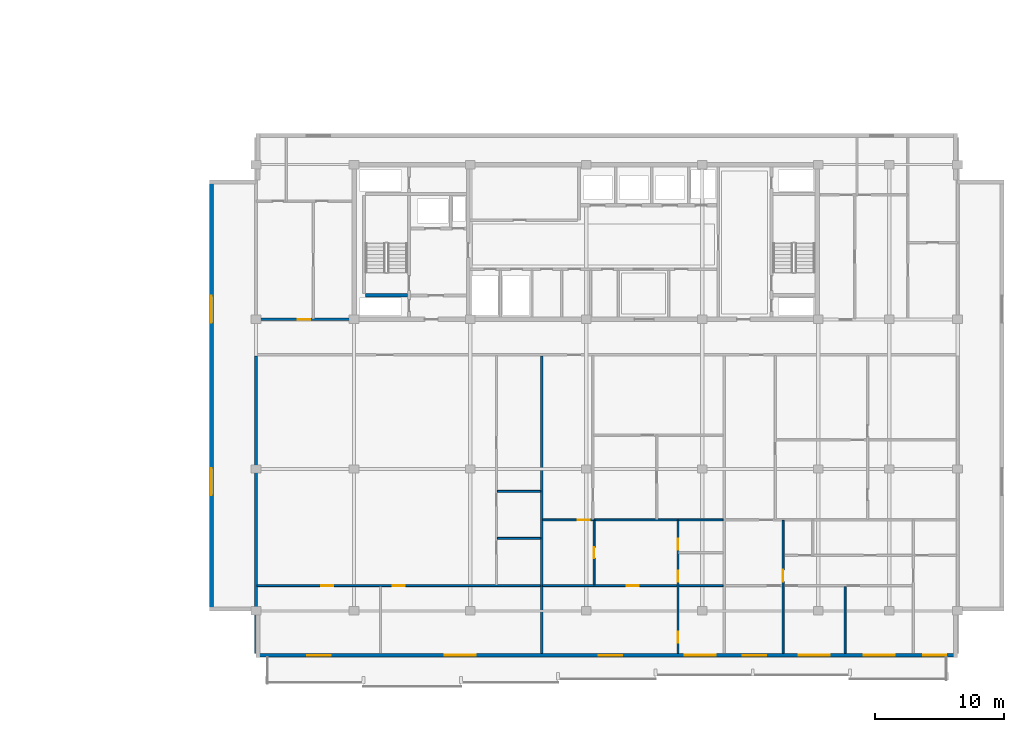
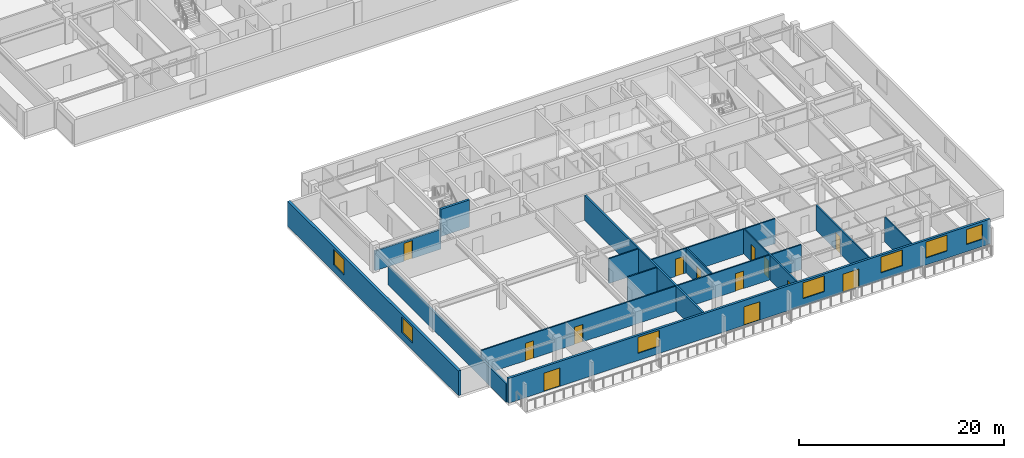
# One storey, part 16 of 32: 15 walls, 13 doors, 7 windows, 20 openings.
"""IFC4 building model written with IfcOpenShell, lengths in metres."""

from ifc_helpers import new_model, si_unit, direction, frame, frame_2d, origin, place, context, subcontext, project, spatial, rectangle, extrude, material, layer, layer_set, type_object, element, fill, save


model = new_model("IFC4")

# Units and contexts
model_context = context("Model", 3, precision=1e-05, world=origin(), true_north=direction((0.0, 1.0)))
body_context = subcontext(model_context, "Body", "Model", "MODEL_VIEW")
ifc_project = project(units=[si_unit("LENGTHUNIT", "METRE"), si_unit("AREAUNIT", "SQUARE_METRE"), si_unit("VOLUMEUNIT", "CUBIC_METRE"), si_unit("PLANEANGLEUNIT", "RADIAN"), si_unit("MASSUNIT", "GRAM", prefix="KILO")], contexts=[model_context])

# Site, building, storey
site_placement = place(None, origin())
site = spatial("IfcSite", under=ifc_project, at=site_placement, CompositionType="ELEMENT")
building_placement = place(site_placement, origin())
building = spatial("IfcBuilding", under=site, at=building_placement, Name="Korimba Cascade Residences", CompositionType="ELEMENT")
storey_placement = place(building_placement, frame((0.0, 0.0, 178.35009765625)))
storey = spatial("IfcBuildingStorey", under=building, at=storey_placement, Name="L51", CompositionType="ELEMENT", Elevation=178.35009765625)

# Wall, openings, doors, windows
ifc_material_1 = material(Name="Precast concrete C40/50", Category="concrete")
ifc_layer_1 = layer(ifc_material_1, 0.25)
ifc_layer_set_1 = layer_set([ifc_layer_1], Name="Precast concrete C40/50")
wall_type_1 = type_object("IfcWallType", Name="EW-LOG-250", PredefinedType="STANDARD", material=ifc_layer_set_1)
wall_1_placement = place(storey_placement, frame((74.5, -7.64990234375, 0.0), z_axis=(0.0, 0.0, 1.0), x_axis=(1.0, 0.0, 0.0)))
wall_1 = element("IfcWall", 1, at=wall_1_placement, inside=storey, type_object=wall_type_1, Name="L51 T2 Perimeter Stone Wall E00", PredefinedType="STANDARD", context=body_context, shape_type="SweptSolid", body=[
    extrude(rectangle(XDim=54.39990234375, YDim=0.25, at=frame_2d((27.199951171875, 0.0))), origin(), (0.0, 0.0, 1.0), 2.969970703125),
])
opening_1_placement = place(wall_1_placement, frame((3.9873046875, 0.0, 0.0)))
opening_1 = element("IfcOpeningElement", 2, at=opening_1_placement, cuts=wall_1, Name="Opening D-LG1", PredefinedType="OPENING", context=body_context, shape_type="SweptSolid", body=[
    extrude(rectangle(XDim=1.800048828125, YDim=2.199951171875, at=frame_2d((0.89990234375, 1.10009765625))), frame((0.0, 0.135009765625, 0.0), z_axis=(0.0, -1.0, 0.0), x_axis=(1.0, 0.0, 0.0)), (0.0, 0.0, 1.0), 0.27001953125),
])
opening_2_placement = place(wall_1_placement, frame((14.641845703125, 0.0, 0.85009765625)))
opening_2 = element("IfcOpeningElement", 3, at=opening_2_placement, cuts=wall_1, Name="Opening W-01", PredefinedType="OPENING", context=body_context, shape_type="SweptSolid", body=[
    extrude(rectangle(XDim=2.39990234375, YDim=1.89990234375, at=frame_2d((1.199951171875, 0.949951171875))), frame((0.0, 0.135009765625, 0.0), z_axis=(0.0, -1.0, 0.0), x_axis=(1.0, 0.0, 0.0)), (0.0, 0.0, 1.0), 0.27001953125),
])
opening_3_placement = place(wall_1_placement, frame((26.594482421875, 0.0, 0.0)))
opening_3 = element("IfcOpeningElement", 4, at=opening_3_placement, cuts=wall_1, Name="Opening D-LG1", PredefinedType="OPENING", context=body_context, shape_type="SweptSolid", body=[
    extrude(rectangle(XDim=1.800048828125, YDim=2.199951171875, at=frame_2d((0.89990234375, 1.10009765625))), frame((0.0, 0.135009765625, 0.0), z_axis=(0.0, -1.0, 0.0), x_axis=(1.0, 0.0, 0.0)), (0.0, 0.0, 1.0), 0.27001953125),
])
opening_4_placement = place(wall_1_placement, frame((33.248291015625, 0.0, 0.85009765625)))
opening_4 = element("IfcOpeningElement", 5, at=opening_4_placement, cuts=wall_1, Name="Opening W-01", PredefinedType="OPENING", context=body_context, shape_type="SweptSolid", body=[
    extrude(rectangle(XDim=2.39990234375, YDim=1.89990234375, at=frame_2d((1.199951171875, 0.949951171875))), frame((0.0, 0.135009765625, 0.0), z_axis=(0.0, -1.0, 0.0), x_axis=(1.0, 0.0, 0.0)), (0.0, 0.0, 1.0), 0.27001953125),
])
opening_5_placement = place(wall_1_placement, frame((42.077392578125, 0.0, 0.85009765625)))
opening_5 = element("IfcOpeningElement", 6, at=opening_5_placement, cuts=wall_1, Name="Opening W-01", PredefinedType="OPENING", context=body_context, shape_type="SweptSolid", body=[
    extrude(rectangle(XDim=2.39990234375, YDim=1.89990234375, at=frame_2d((1.199951171875, 0.949951171875))), frame((0.0, 0.135009765625, 0.0), z_axis=(0.0, -1.0, 0.0), x_axis=(1.0, 0.0, 0.0)), (0.0, 0.0, 1.0), 0.27001953125),
])
opening_6_placement = place(wall_1_placement, frame((47.129150390625, 0.0, 0.85009765625)))
opening_6 = element("IfcOpeningElement", 7, at=opening_6_placement, cuts=wall_1, Name="Opening W-01", PredefinedType="OPENING", context=body_context, shape_type="SweptSolid", body=[
    extrude(rectangle(XDim=2.39990234375, YDim=1.89990234375, at=frame_2d((1.199951171875, 0.949951171875))), frame((0.0, 0.135009765625, 0.0), z_axis=(0.0, -1.0, 0.0), x_axis=(1.0, 0.0, 0.0)), (0.0, 0.0, 1.0), 0.27001953125),
])
opening_7_placement = place(wall_1_placement, frame((37.746337890625, 0.0, 0.0)))
opening_7 = element("IfcOpeningElement", 8, at=opening_7_placement, cuts=wall_1, Name="Opening D-LG1", PredefinedType="OPENING", context=body_context, shape_type="SweptSolid", body=[
    extrude(rectangle(XDim=1.800048828125, YDim=2.199951171875, at=frame_2d((0.89990234375, 1.10009765625))), frame((0.0, 0.135009765625, 0.0), z_axis=(0.0, -1.0, 0.0), x_axis=(1.0, 0.0, 0.0)), (0.0, 0.0, 1.0), 0.27001953125),
])
opening_8_placement = place(wall_1_placement, frame((51.72998046875, 0.0, 0.85009765625)))
opening_8 = element("IfcOpeningElement", 9, at=opening_8_placement, cuts=wall_1, Name="Opening W-02", PredefinedType="OPENING", context=body_context, shape_type="SweptSolid", body=[
    extrude(rectangle(XDim=1.800048828125, YDim=1.800048828125, at=frame_2d((0.89990234375, 0.89990234375))), frame((0.0, 0.135009765625, 0.0), z_axis=(0.0, -1.0, 0.0), x_axis=(1.0, 0.0, 0.0)), (0.0, 0.0, 1.0), 0.27001953125),
])
ifc_material_2 = material(Name="Glazed Aluminium Loggia Sliding Door", Category="aluminium")
door_type_1 = type_object("IfcDoorType", Name="DR-EXT-LOG", OperationType="NOTDEFINED", PredefinedType="DOOR", material=ifc_material_2)
door_1_placement = place(opening_1_placement, origin())
door_1 = element("IfcDoor", 10, at=door_1_placement, inside=storey, type_object=door_type_1, Name="L51 T2 Loggia Sliding Door 3", OperationType="SLIDING_TO_RIGHT", OverallHeight=2.199951171875, OverallWidth=1.800048828125, PredefinedType="DOOR", context=body_context, shape_type="SweptSolid", body=[
    extrude(rectangle(XDim=1.800048828125, YDim=2.199951171875, at=frame_2d((0.89990234375, 1.10009765625))), frame((0.0, 0.02490234375, 0.0), z_axis=(0.0, -1.0, 0.0), x_axis=(1.0, 0.0, 0.0)), (0.0, 0.0, 1.0), 0.050048828125),
])
fill(opening_1, door_1)
door_2_placement = place(opening_3_placement, origin())
door_2 = element("IfcDoor", 11, at=door_2_placement, inside=storey, type_object=door_type_1, Name="L51 T2 Loggia Sliding Door 5", OperationType="SLIDING_TO_RIGHT", OverallHeight=2.199951171875, OverallWidth=1.800048828125, PredefinedType="DOOR", context=body_context, shape_type="SweptSolid", body=[
    extrude(rectangle(XDim=1.800048828125, YDim=2.199951171875, at=frame_2d((0.89990234375, 1.10009765625))), frame((0.0, 0.02490234375, 0.0), z_axis=(0.0, -1.0, 0.0), x_axis=(1.0, 0.0, 0.0)), (0.0, 0.0, 1.0), 0.050048828125),
])
fill(opening_3, door_2)
door_3_placement = place(opening_7_placement, origin())
door_3 = element("IfcDoor", 12, at=door_3_placement, inside=storey, type_object=door_type_1, Name="L51 T2 Loggia Sliding Door 9", OperationType="SLIDING_TO_RIGHT", OverallHeight=2.199951171875, OverallWidth=1.800048828125, PredefinedType="DOOR", context=body_context, shape_type="SweptSolid", body=[
    extrude(rectangle(XDim=1.800048828125, YDim=2.199951171875, at=frame_2d((0.89990234375, 1.10009765625))), frame((0.0, 0.02490234375, 0.0), z_axis=(0.0, -1.0, 0.0), x_axis=(1.0, 0.0, 0.0)), (0.0, 0.0, 1.0), 0.050048828125),
])
fill(opening_7, door_3)
ifc_material_3 = material(Name="Double-Glazed Aluminium Window", Category="aluminium")
window_type_1 = type_object("IfcWindowType", Name="WIN-BED-1800", PartitioningType="SINGLE_PANEL", PredefinedType="WINDOW", material=ifc_material_3)
window_1_placement = place(opening_8_placement, origin())
window_1 = element("IfcWindow", 13, at=window_1_placement, inside=storey, type_object=window_type_1, Name="L51 T2 South Facade Window 10", OverallHeight=1.800048828125, OverallWidth=1.800048828125, PartitioningType="SINGLE_PANEL", PredefinedType="WINDOW", context=body_context, shape_type="SweptSolid", body=[
    extrude(rectangle(XDim=1.800048828125, YDim=1.800048828125, at=frame_2d((0.89990234375, 0.89990234375))), frame((0.0, 0.030029296875, 0.0), z_axis=(0.0, -1.0, 0.0), x_axis=(1.0, 0.0, 0.0)), (0.0, 0.0, 1.0), 0.06005859375),
])
fill(opening_8, window_1)
window_type_2 = type_object("IfcWindowType", Name="WIN-RES-2400", PartitioningType="DOUBLE_PANEL_VERTICAL", PredefinedType="WINDOW", material=ifc_material_3)
window_2_placement = place(opening_2_placement, origin())
window_2 = element("IfcWindow", 14, at=window_2_placement, inside=storey, type_object=window_type_2, Name="L51 T2 South Facade Window 4", OverallHeight=1.89990234375, OverallWidth=2.39990234375, PartitioningType="DOUBLE_PANEL_VERTICAL", PredefinedType="WINDOW", context=body_context, shape_type="SweptSolid", body=[
    extrude(rectangle(XDim=2.39990234375, YDim=1.89990234375, at=frame_2d((1.199951171875, 0.949951171875))), frame((0.0, 0.030029296875, 0.0), z_axis=(0.0, -1.0, 0.0), x_axis=(1.0, 0.0, 0.0)), (0.0, 0.0, 1.0), 0.06005859375),
])
fill(opening_2, window_2)
window_3_placement = place(opening_4_placement, origin())
window_3 = element("IfcWindow", 15, at=window_3_placement, inside=storey, type_object=window_type_2, Name="L51 T2 South Facade Window 6", OverallHeight=1.89990234375, OverallWidth=2.39990234375, PartitioningType="DOUBLE_PANEL_VERTICAL", PredefinedType="WINDOW", context=body_context, shape_type="SweptSolid", body=[
    extrude(rectangle(XDim=2.39990234375, YDim=1.89990234375, at=frame_2d((1.199951171875, 0.949951171875))), frame((0.0, 0.030029296875, 0.0), z_axis=(0.0, -1.0, 0.0), x_axis=(1.0, 0.0, 0.0)), (0.0, 0.0, 1.0), 0.06005859375),
])
fill(opening_4, window_3)
window_4_placement = place(opening_5_placement, origin())
window_4 = element("IfcWindow", 16, at=window_4_placement, inside=storey, type_object=window_type_2, Name="L51 T2 South Facade Window 7", OverallHeight=1.89990234375, OverallWidth=2.39990234375, PartitioningType="DOUBLE_PANEL_VERTICAL", PredefinedType="WINDOW", context=body_context, shape_type="SweptSolid", body=[
    extrude(rectangle(XDim=2.39990234375, YDim=1.89990234375, at=frame_2d((1.199951171875, 0.949951171875))), frame((0.0, 0.030029296875, 0.0), z_axis=(0.0, -1.0, 0.0), x_axis=(1.0, 0.0, 0.0)), (0.0, 0.0, 1.0), 0.06005859375),
])
fill(opening_5, window_4)
window_5_placement = place(opening_6_placement, origin())
window_5 = element("IfcWindow", 17, at=window_5_placement, inside=storey, type_object=window_type_2, Name="L51 T2 South Facade Window 8", OverallHeight=1.89990234375, OverallWidth=2.39990234375, PartitioningType="DOUBLE_PANEL_VERTICAL", PredefinedType="WINDOW", context=body_context, shape_type="SweptSolid", body=[
    extrude(rectangle(XDim=2.39990234375, YDim=1.89990234375, at=frame_2d((1.199951171875, 0.949951171875))), frame((0.0, 0.030029296875, 0.0), z_axis=(0.0, -1.0, 0.0), x_axis=(1.0, 0.0, 0.0)), (0.0, 0.0, 1.0), 0.06005859375),
])
fill(opening_6, window_5)

# Wall, openings, windows
ifc_layer_2 = layer(ifc_material_1, 0.300048828125)
ifc_layer_set_2 = layer_set([ifc_layer_2], Name="Precast concrete C40/50")
wall_type_2 = type_object("IfcWallType", Name="EW-STONE-300", PredefinedType="STANDARD", material=ifc_layer_set_2)
wall_2_placement = place(storey_placement, frame((71.050048828125, 29.199951171875, 0.0), z_axis=(0.0, 0.0, 1.0), x_axis=(0.0, -1.0, 0.0)))
wall_2 = element("IfcWall", 18, at=wall_2_placement, inside=storey, type_object=wall_type_2, Name="L51 T2 Perimeter Stone Wall E09", PredefinedType="STANDARD", context=body_context, shape_type="SweptSolid", body=[
    extrude(rectangle(XDim=33.39990234375, YDim=0.300048828125, at=frame_2d((16.699951171875, 0.0))), origin(), (0.0, 0.0, 1.0), 2.969970703125),
])
opening_9_placement = place(wall_2_placement, frame((8.969970703125, 0.0, 0.85009765625)))
opening_9 = element("IfcOpeningElement", 19, at=opening_9_placement, cuts=wall_2, Name="Opening W-03", PredefinedType="OPENING", context=body_context, shape_type="SweptSolid", body=[
    extrude(rectangle(XDim=2.10009765625, YDim=1.85009765625, at=frame_2d((1.050048828125, 0.925048828125))), frame((0.0, 0.16015625, 0.0), z_axis=(0.0, -1.0, 0.0), x_axis=(1.0, 0.0, 0.0)), (0.0, 0.0, 1.0), 0.320068359375),
])
opening_10_placement = place(wall_2_placement, frame((22.330078125, 0.0, 0.85009765625)))
opening_10 = element("IfcOpeningElement", 20, at=opening_10_placement, cuts=wall_2, Name="Opening W-03", PredefinedType="OPENING", context=body_context, shape_type="SweptSolid", body=[
    extrude(rectangle(XDim=2.10009765625, YDim=1.85009765625, at=frame_2d((1.050048828125, 0.925048828125))), frame((0.0, 0.16015625, 0.0), z_axis=(0.0, -1.0, 0.0), x_axis=(1.0, 0.0, 0.0)), (0.0, 0.0, 1.0), 0.320068359375),
])
window_type_3 = type_object("IfcWindowType", Name="WIN-CRN-2100", PartitioningType="DOUBLE_PANEL_HORIZONTAL", PredefinedType="WINDOW", material=ifc_material_3)
window_6_placement = place(opening_9_placement, origin())
window_6 = element("IfcWindow", 21, at=window_6_placement, inside=storey, type_object=window_type_3, Name="L51 T2 End View Window 9.1", OverallHeight=1.85009765625, OverallWidth=2.10009765625, PartitioningType="DOUBLE_PANEL_HORIZONTAL", PredefinedType="WINDOW", context=body_context, shape_type="SweptSolid", body=[
    extrude(rectangle(XDim=2.10009765625, YDim=1.85009765625, at=frame_2d((1.050048828125, 0.925048828125))), frame((0.0, 0.030029296875, 0.0), z_axis=(0.0, -1.0, 0.0), x_axis=(1.0, 0.0, 0.0)), (0.0, 0.0, 1.0), 0.06005859375),
])
fill(opening_9, window_6)
window_7_placement = place(opening_10_placement, origin())
window_7 = element("IfcWindow", 22, at=window_7_placement, inside=storey, type_object=window_type_3, Name="L51 T2 End View Window 9.2", OverallHeight=1.85009765625, OverallWidth=2.10009765625, PartitioningType="DOUBLE_PANEL_HORIZONTAL", PredefinedType="WINDOW", context=body_context, shape_type="SweptSolid", body=[
    extrude(rectangle(XDim=2.10009765625, YDim=1.85009765625, at=frame_2d((1.050048828125, 0.925048828125))), frame((0.0, 0.030029296875, 0.0), z_axis=(0.0, -1.0, 0.0), x_axis=(1.0, 0.0, 0.0)), (0.0, 0.0, 1.0), 0.06005859375),
])
fill(opening_10, window_7)

# Wall, opening, door
ifc_layer_3 = layer(ifc_material_1, 0.199951171875)
ifc_layer_set_3 = layer_set([ifc_layer_3], Name="Precast concrete C40/50")
wall_type_3 = type_object("IfcWallType", Name="WAL-IT-200", PredefinedType="PARTITIONING", material=ifc_layer_set_3)
wall_3_placement = place(storey_placement, frame((74.5, 18.39990234375, 0.0), z_axis=(0.0, 0.0, 1.0), x_axis=(1.0, 0.0, 0.0)))
wall_3 = element("IfcWall", 23, at=wall_3_placement, inside=storey, type_object=wall_type_3, Name="L51 Partition Wall WAL-L51-T2-FW-S", PredefinedType="PARTITIONING", context=body_context, shape_type="SweptSolid", body=[
    extrude(rectangle(XDim=7.449951171875, YDim=0.199951171875, at=frame_2d((3.72509765625, 0.0))), origin(), (0.0, 0.0, 1.0), 2.357666015625),
])
opening_11_placement = place(wall_3_placement, frame((3.25, 0.0, 0.0)))
opening_11 = element("IfcOpeningElement", 24, at=opening_11_placement, cuts=wall_3, Name="Opening D-UN1", PredefinedType="OPENING", context=body_context, shape_type="SweptSolid", body=[
    extrude(rectangle(XDim=0.949951171875, YDim=2.14990234375, at=frame_2d((0.47509765625, 1.074951171875))), frame((0.0, 0.10986328125, 0.0), z_axis=(0.0, -1.0, 0.0), x_axis=(1.0, 0.0, 0.0)), (0.0, 0.0, 1.0), 0.219970703125),
])
ifc_material_4 = material(Name="Fire-Rated Hardwood Apartment Entrance Door", Category="wood")
door_type_2 = type_object("IfcDoorType", Name="DR-FD60-950", OperationType="NOTDEFINED", PredefinedType="DOOR", material=ifc_material_4)
door_4_placement = place(opening_11_placement, origin())
door_4 = element("IfcDoor", 25, at=door_4_placement, inside=storey, type_object=door_type_2, Name="L51-T2-FW Entrance Door", OperationType="SINGLE_SWING_RIGHT", OverallHeight=2.14990234375, OverallWidth=0.949951171875, PredefinedType="DOOR", context=body_context, shape_type="SweptSolid", body=[
    extrude(rectangle(XDim=0.949951171875, YDim=2.14990234375, at=frame_2d((0.47509765625, 1.074951171875))), frame((0.0, 0.02490234375, 0.0), z_axis=(0.0, -1.0, 0.0), x_axis=(1.0, 0.0, 0.0)), (0.0, 0.0, 1.0), 0.050048828125),
])
fill(opening_11, door_4)

# Walls
wall_4_placement = place(storey_placement, frame((74.5, -7.5, 0.0), z_axis=(0.0, 0.0, 1.0), x_axis=(0.0, 1.0, 0.0)))
element("IfcWall", 26, at=wall_4_placement, inside=storey, type_object=wall_type_3, Name="L51 Partition Wall WAL-L51-T2-BNDWL", PredefinedType="PARTITIONING", context=body_context, shape_type="SweptSolid", body=[
    extrude(rectangle(XDim=23.070068359375, YDim=0.199951171875, at=frame_2d((11.53515625, 0.0))), origin(), (0.0, 0.0, 1.0), 2.2001953125),
])
wall_5_placement = place(storey_placement, frame((96.649169921875, -7.5, 0.0), z_axis=(0.0, 0.0, 1.0), x_axis=(0.0, 1.0, 0.0)))
element("IfcWall", 27, at=wall_5_placement, inside=storey, type_object=wall_type_3, Name="L51 Partition Wall WAL-L51-T2-DEM-1", PredefinedType="PARTITIONING", context=body_context, shape_type="SweptSolid", body=[
    extrude(rectangle(XDim=23.070068359375, YDim=0.199951171875, at=frame_2d((11.53515625, 0.0))), origin(), (0.0, 0.0, 1.0), 2.969970703125),
])
ifc_material_5 = material(Name="Insulated Acoustic Stud Partition", Category="gypsum")
ifc_layer_4 = layer(ifc_material_5, 0.14990234375)
ifc_layer_set_4 = layer_set([ifc_layer_4], Name="Insulated Acoustic Stud Partition")
wall_type_4 = type_object("IfcWallType", Name="WAL-PART-150", PredefinedType="PARTITIONING", material=ifc_layer_set_4)
for number, where, z_axis, x_axis, name in (
    (28, (93.208984375, 1.419921875, 0.0), (0.0, 0.0, 1.0), (1.0, 0.0, 0.0), "L51 Partition Wall WAL-L51-T2-U01-WCH"),
    (29, (93.208984375, 5.070068359375, 0.0), (0.0, 0.0, 1.0), (1.0, 0.0, 0.0), "L51 Partition Wall WAL-L51-T2-U01-WCH2"),
):
    element("IfcWall", number, at=place(storey_placement, frame(where, z_axis=z_axis, x_axis=x_axis)), inside=storey, type_object=wall_type_4, Name=name, PredefinedType="PARTITIONING", context=body_context, shape_type="SweptSolid", body=[
        extrude(rectangle(XDim=3.360107421875, YDim=0.14990234375, at=frame_2d((1.68017578125, 0.0))), origin(), (0.0, 0.0, 1.0), 2.969970703125),
    ])

# Wall, openings, doors
wall_6_placement = place(storey_placement, frame((74.580078125, -2.25, 0.0), z_axis=(0.0, 0.0, 1.0), x_axis=(1.0, 0.0, 0.0)))
wall_6 = element("IfcWall", 30, at=wall_6_placement, inside=storey, type_object=wall_type_4, Name="L51 Partition Wall WAL-L51-T2-U01-HZ", PredefinedType="PARTITIONING", context=body_context, shape_type="SweptSolid", body=[
    extrude(rectangle(XDim=21.989013671875, YDim=0.14990234375, at=frame_2d((10.99462890625, 0.0))), origin(), (0.0, 0.0, 1.0), 2.969970703125),
])
opening_12_placement = place(wall_6_placement, frame((4.979736328125, 0.0, 0.0)))
opening_12 = element("IfcOpeningElement", 31, at=opening_12_placement, cuts=wall_6, Name="Opening D-ST1", PredefinedType="OPENING", context=body_context, shape_type="SweptSolid", body=[
    extrude(rectangle(XDim=0.919921875, YDim=2.080078125, at=frame_2d((0.4599609375, 1.0400390625))), frame((0.0, 0.0849609375, 0.0), z_axis=(0.0, -1.0, 0.0), x_axis=(1.0, 0.0, 0.0)), (0.0, 0.0, 1.0), 0.169921875),
])
opening_13_placement = place(wall_6_placement, frame((10.53466796875, 0.0, 0.0)))
opening_13 = element("IfcOpeningElement", 32, at=opening_13_placement, cuts=wall_6, Name="Opening D-ST1", PredefinedType="OPENING", context=body_context, shape_type="SweptSolid", body=[
    extrude(rectangle(XDim=0.919921875, YDim=2.080078125, at=frame_2d((0.4599609375, 1.0400390625))), frame((0.0, 0.0849609375, 0.0), z_axis=(0.0, -1.0, 0.0), x_axis=(1.0, 0.0, 0.0)), (0.0, 0.0, 1.0), 0.169921875),
])
ifc_material_6 = material(Name="Fire-Rated Core Store Door", Category="wood")
door_type_3 = type_object("IfcDoorType", Name="DR-FD60-920", OperationType="NOTDEFINED", PredefinedType="DOOR", material=ifc_material_6)
door_5_placement = place(opening_12_placement, origin())
door_5 = element("IfcDoor", 33, at=door_5_placement, inside=storey, type_object=door_type_3, Name="L51-T2-U01 Sky Lobby Concierge Door", OperationType="SINGLE_SWING_RIGHT", OverallHeight=2.080078125, OverallWidth=0.919921875, PredefinedType="DOOR", context=body_context, shape_type="SweptSolid", body=[
    extrude(rectangle(XDim=0.919921875, YDim=2.080078125, at=frame_2d((0.4599609375, 1.0400390625))), frame((0.0, 0.02490234375, 0.0), z_axis=(0.0, -1.0, 0.0), x_axis=(1.0, 0.0, 0.0)), (0.0, 0.0, 1.0), 0.050048828125),
])
fill(opening_12, door_5)
door_6_placement = place(opening_13_placement, origin())
door_6 = element("IfcDoor", 34, at=door_6_placement, inside=storey, type_object=door_type_3, Name="L51-T2-U01 Horizon Observation Atrium Door", OperationType="SINGLE_SWING_LEFT", OverallHeight=2.080078125, OverallWidth=0.919921875, PredefinedType="DOOR", context=body_context, shape_type="SweptSolid", body=[
    extrude(rectangle(XDim=0.919921875, YDim=2.080078125, at=frame_2d((0.4599609375, 1.0400390625))), frame((0.0, 0.02490234375, 0.0), z_axis=(0.0, -1.0, 0.0), x_axis=(1.0, 0.0, 0.0)), (0.0, 0.0, 1.0), 0.050048828125),
])
fill(opening_13, door_6)

# Wall, opening, door
wall_7_placement = place(storey_placement, frame((100.718994140625, -2.18994140625, 0.0), z_axis=(0.0, 0.0, 1.0), x_axis=(0.0, 1.0, 0.0)))
wall_7 = element("IfcWall", 35, at=wall_7_placement, inside=storey, type_object=wall_type_4, Name="L51 Partition Wall WAL-L51-T2-U02-VDIN", PredefinedType="PARTITIONING", context=body_context, shape_type="SweptSolid", body=[
    extrude(rectangle(XDim=5.0, YDim=0.14990234375, at=frame_2d((2.5, 0.0))), origin(), (0.0, 0.0, 1.0), 2.969970703125),
])
opening_14_placement = place(wall_7_placement, frame((2.06005859375, 0.0, 0.0)))
opening_14 = element("IfcOpeningElement", 36, at=opening_14_placement, cuts=wall_7, Name="Opening D-IN2", PredefinedType="OPENING", context=body_context, shape_type="SweptSolid", body=[
    extrude(rectangle(XDim=0.8798828125, YDim=2.06005859375, at=frame_2d((0.43994140625, 1.030029296875))), frame((0.0, 0.0849609375, 0.0), z_axis=(0.0, -1.0, 0.0), x_axis=(1.0, 0.0, 0.0)), (0.0, 0.0, 1.0), 0.169921875),
])
ifc_material_7 = material(Name="Acoustic Timber Bedroom Door", Category="wood")
door_type_4 = type_object("IfcDoorType", Name="DR-INT-880", OperationType="NOTDEFINED", PredefinedType="DOOR", material=ifc_material_7)
door_7_placement = place(opening_14_placement, origin())
door_7 = element("IfcDoor", 37, at=door_7_placement, inside=storey, type_object=door_type_4, Name="L51-T2-U02 Dining Room Door", OperationType="SINGLE_SWING_LEFT", OverallHeight=2.06005859375, OverallWidth=0.8798828125, PredefinedType="DOOR", context=body_context, shape_type="SweptSolid", body=[
    extrude(rectangle(XDim=0.8798828125, YDim=2.06005859375, at=frame_2d((0.43994140625, 1.030029296875))), frame((0.0, 0.02490234375, 0.0), z_axis=(0.0, -1.0, 0.0), x_axis=(1.0, 0.0, 0.0)), (0.0, 0.0, 1.0), 0.050048828125),
])
fill(opening_14, door_7)

# Wall, openings, doors
wall_8_placement = place(storey_placement, frame((107.219970703125, -7.5, 0.0), z_axis=(0.0, 0.0, 1.0), x_axis=(0.0, 1.0, 0.0)))
wall_8 = element("IfcWall", 38, at=wall_8_placement, inside=storey, type_object=wall_type_4, Name="L51 Partition Wall WAL-L51-T2-U02-V1", PredefinedType="PARTITIONING", context=body_context, shape_type="SweptSolid", body=[
    extrude(rectangle(XDim=10.31005859375, YDim=0.14990234375, at=frame_2d((5.155029296875, 0.0))), origin(), (0.0, 0.0, 1.0), 2.969970703125),
])
opening_15_placement = place(wall_8_placement, frame((5.550048828125, 0.0, 0.0)))
opening_15 = element("IfcOpeningElement", 39, at=opening_15_placement, cuts=wall_8, Name="Opening D-BT1", PredefinedType="OPENING", context=body_context, shape_type="SweptSolid", body=[
    extrude(rectangle(XDim=0.840087890625, YDim=2.0400390625, at=frame_2d((0.419921875, 1.02001953125))), frame((0.0, 0.0849609375, 0.0), z_axis=(0.0, -1.0, 0.0), x_axis=(1.0, 0.0, 0.0)), (0.0, 0.0, 1.0), 0.169921875),
])
opening_16_placement = place(wall_8_placement, frame((8.03955078125, 0.0, 0.0)))
opening_16 = element("IfcOpeningElement", 40, at=opening_16_placement, cuts=wall_8, Name="Opening D-BT1", PredefinedType="OPENING", context=body_context, shape_type="SweptSolid", body=[
    extrude(rectangle(XDim=0.840087890625, YDim=2.0400390625, at=frame_2d((0.419921875, 1.02001953125))), frame((0.0, 0.0849609375, 0.0), z_axis=(0.0, -1.0, 0.0), x_axis=(1.0, 0.0, 0.0)), (0.0, 0.0, 1.0), 0.169921875),
])
opening_17_placement = place(wall_8_placement, frame((0.818115234375, 0.0, 0.0)))
opening_17 = element("IfcOpeningElement", 41, at=opening_17_placement, cuts=wall_8, Name="Opening D-IN2", PredefinedType="OPENING", context=body_context, shape_type="SweptSolid", body=[
    extrude(rectangle(XDim=0.8798828125, YDim=2.06005859375, at=frame_2d((0.43994140625, 1.030029296875))), frame((0.0, 0.0849609375, 0.0), z_axis=(0.0, -1.0, 0.0), x_axis=(1.0, 0.0, 0.0)), (0.0, 0.0, 1.0), 0.169921875),
])
ifc_material_8 = material(Name="Moisture-Resistant Bathroom Timber Door", Category="wood")
door_type_5 = type_object("IfcDoorType", Name="DR-INT-850", OperationType="NOTDEFINED", PredefinedType="DOOR", material=ifc_material_8)
door_8_placement = place(opening_15_placement, origin())
door_8 = element("IfcDoor", 42, at=door_8_placement, inside=storey, type_object=door_type_5, Name="L51-T2-U02 Bathroom Door", OperationType="SINGLE_SWING_RIGHT", OverallHeight=2.0400390625, OverallWidth=0.840087890625, PredefinedType="DOOR", context=body_context, shape_type="SweptSolid", body=[
    extrude(rectangle(XDim=0.840087890625, YDim=2.0400390625, at=frame_2d((0.419921875, 1.02001953125))), frame((0.0, 0.02490234375, 0.0), z_axis=(0.0, -1.0, 0.0), x_axis=(1.0, 0.0, 0.0)), (0.0, 0.0, 1.0), 0.050048828125),
])
fill(opening_15, door_8)
door_9_placement = place(opening_16_placement, origin())
door_9 = element("IfcDoor", 43, at=door_9_placement, inside=storey, type_object=door_type_5, Name="L51-T2-U02 Laundry Door", OperationType="SINGLE_SWING_LEFT", OverallHeight=2.0400390625, OverallWidth=0.840087890625, PredefinedType="DOOR", context=body_context, shape_type="SweptSolid", body=[
    extrude(rectangle(XDim=0.840087890625, YDim=2.0400390625, at=frame_2d((0.419921875, 1.02001953125))), frame((0.0, 0.02490234375, 0.0), z_axis=(0.0, -1.0, 0.0), x_axis=(1.0, 0.0, 0.0)), (0.0, 0.0, 1.0), 0.050048828125),
])
fill(opening_16, door_9)
door_10_placement = place(opening_17_placement, origin())
door_10 = element("IfcDoor", 44, at=door_10_placement, inside=storey, type_object=door_type_4, Name="L51-T2-U02 Bedroom 1 Door", OperationType="SINGLE_SWING_RIGHT", OverallHeight=2.06005859375, OverallWidth=0.8798828125, PredefinedType="DOOR", context=body_context, shape_type="SweptSolid", body=[
    extrude(rectangle(XDim=0.8798828125, YDim=2.06005859375, at=frame_2d((0.43994140625, 1.030029296875))), frame((0.0, 0.02490234375, 0.0), z_axis=(0.0, -1.0, 0.0), x_axis=(1.0, 0.0, 0.0)), (0.0, 0.0, 1.0), 0.050048828125),
])
fill(opening_17, door_10)

# Wall, opening, door
wall_9_placement = place(storey_placement, frame((96.72900390625, 2.85009765625, 0.0), z_axis=(0.0, 0.0, 1.0), x_axis=(1.0, 0.0, 0.0)))
wall_9 = element("IfcWall", 45, at=wall_9_placement, inside=storey, type_object=wall_type_4, Name="L51 Partition Wall WAL-L51-T2-U02-MW", PredefinedType="PARTITIONING", context=body_context, shape_type="SweptSolid", body=[
    extrude(rectangle(XDim=13.9873046875, YDim=0.14990234375, at=frame_2d((6.99365234375, 0.0))), origin(), (0.0, 0.0, 1.0), 2.969970703125),
])
opening_18_placement = place(wall_9_placement, frame((2.719970703125, 0.0, 0.0)))
opening_18 = element("IfcOpeningElement", 46, at=opening_18_placement, cuts=wall_9, Name="Opening D-IN1", PredefinedType="OPENING", context=body_context, shape_type="SweptSolid", body=[
    extrude(rectangle(XDim=0.919921875, YDim=2.080078125, at=frame_2d((0.4599609375, 1.0400390625))), frame((0.0, 0.0849609375, 0.0), z_axis=(0.0, -1.0, 0.0), x_axis=(1.0, 0.0, 0.0)), (0.0, 0.0, 1.0), 0.169921875),
])
ifc_material_9 = material(Name="Acoustic Timber Living Door", Category="wood")
door_type_6 = type_object("IfcDoorType", Name="DR-INT-920", OperationType="NOTDEFINED", PredefinedType="DOOR", material=ifc_material_9)
door_11_placement = place(opening_18_placement, origin())
door_11 = element("IfcDoor", 47, at=door_11_placement, inside=storey, type_object=door_type_6, Name="L51-T2-U02 Kitchen Archway Door", OperationType="SINGLE_SWING_LEFT", OverallHeight=2.080078125, OverallWidth=0.919921875, PredefinedType="DOOR", context=body_context, shape_type="SweptSolid", body=[
    extrude(rectangle(XDim=0.919921875, YDim=2.080078125, at=frame_2d((0.4599609375, 1.0400390625))), frame((0.0, 0.02490234375, 0.0), z_axis=(0.0, -1.0, 0.0), x_axis=(1.0, 0.0, 0.0)), (0.0, 0.0, 1.0), 0.050048828125),
])
fill(opening_18, door_11)

wall_10_placement = place(storey_placement, frame((96.72900390625, -2.25, 0.0), z_axis=(0.0, 0.0, 1.0), x_axis=(1.0, 0.0, 0.0)))
wall_10 = element("IfcWall", 48, at=wall_10_placement, inside=storey, type_object=wall_type_4, Name="L51 Partition Wall WAL-L51-T2-U02-HZ", PredefinedType="PARTITIONING", context=body_context, shape_type="SweptSolid", body=[
    extrude(rectangle(XDim=13.9873046875, YDim=0.14990234375, at=frame_2d((6.99365234375, 0.0))), origin(), (0.0, 0.0, 1.0), 2.969970703125),
])
opening_19_placement = place(wall_10_placement, frame((6.523681640625, 0.0, 0.0)))
opening_19 = element("IfcOpeningElement", 49, at=opening_19_placement, cuts=wall_10, Name="Opening D-IN0", PredefinedType="OPENING", context=body_context, shape_type="SweptSolid", body=[
    extrude(rectangle(XDim=0.93994140625, YDim=2.10009765625, at=frame_2d((0.469970703125, 1.050048828125))), frame((0.0, 0.0849609375, 0.0), z_axis=(0.0, -1.0, 0.0), x_axis=(1.0, 0.0, 0.0)), (0.0, 0.0, 1.0), 0.169921875),
])
ifc_material_10 = material(Name="Acoustic Timber Living Archway Door", Category="wood")
door_type_7 = type_object("IfcDoorType", Name="DR-INT-950", OperationType="NOTDEFINED", PredefinedType="DOOR", material=ifc_material_10)
door_12_placement = place(opening_19_placement, origin())
door_12 = element("IfcDoor", 50, at=door_12_placement, inside=storey, type_object=door_type_7, Name="L51-T2-U02 Living Archway Door", OperationType="SINGLE_SWING_RIGHT", OverallHeight=2.10009765625, OverallWidth=0.93994140625, PredefinedType="DOOR", context=body_context, shape_type="SweptSolid", body=[
    extrude(rectangle(XDim=0.93994140625, YDim=2.10009765625, at=frame_2d((0.469970703125, 1.050048828125))), frame((0.0, 0.02490234375, 0.0), z_axis=(0.0, -1.0, 0.0), x_axis=(1.0, 0.0, 0.0)), (0.0, 0.0, 1.0), 0.050048828125),
])
fill(opening_19, door_12)

# Wall
wall_11_placement = place(storey_placement, frame((120.17822265625, -7.5, 0.0), z_axis=(0.0, 0.0, 1.0), x_axis=(0.0, 1.0, 0.0)))
element("IfcWall", 51, at=wall_11_placement, inside=storey, type_object=wall_type_4, Name="L51 Partition Wall WAL-L51-T2-U03-VSTD", PredefinedType="PARTITIONING", context=body_context, shape_type="SweptSolid", body=[
    extrude(rectangle(XDim=5.169921875, YDim=0.14990234375, at=frame_2d((2.5849609375, 0.0))), origin(), (0.0, 0.0, 1.0), 2.969970703125),
])

# Wall, opening, door
wall_12_placement = place(storey_placement, frame((115.37646484375, -7.5, 0.0), z_axis=(0.0, 0.0, 1.0), x_axis=(0.0, 1.0, 0.0)))
wall_12 = element("IfcWall", 52, at=wall_12_placement, inside=storey, type_object=wall_type_4, Name="L51 Partition Wall WAL-L51-T2-U03-V1", PredefinedType="PARTITIONING", context=body_context, shape_type="SweptSolid", body=[
    extrude(rectangle(XDim=10.31005859375, YDim=0.14990234375, at=frame_2d((5.155029296875, 0.0))), origin(), (0.0, 0.0, 1.0), 2.969970703125),
])
opening_20_placement = place(wall_12_placement, frame((5.570068359375, 0.0, 0.0)))
opening_20 = element("IfcOpeningElement", 53, at=opening_20_placement, cuts=wall_12, Name="Opening D-IN1", PredefinedType="OPENING", context=body_context, shape_type="SweptSolid", body=[
    extrude(rectangle(XDim=0.919921875, YDim=2.080078125, at=frame_2d((0.4599609375, 1.0400390625))), frame((0.0, 0.0849609375, 0.0), z_axis=(0.0, -1.0, 0.0), x_axis=(1.0, 0.0, 0.0)), (0.0, 0.0, 1.0), 0.169921875),
])
door_13_placement = place(opening_20_placement, origin())
door_13 = element("IfcDoor", 54, at=door_13_placement, inside=storey, type_object=door_type_6, Name="L51-T2-U03 Hallway Door", OperationType="SINGLE_SWING_LEFT", OverallHeight=2.080078125, OverallWidth=0.919921875, PredefinedType="DOOR", context=body_context, shape_type="SweptSolid", body=[
    extrude(rectangle(XDim=0.919921875, YDim=2.080078125, at=frame_2d((0.4599609375, 1.0400390625))), frame((0.0, 0.02490234375, 0.0), z_axis=(0.0, -1.0, 0.0), x_axis=(1.0, 0.0, 0.0)), (0.0, 0.0, 1.0), 0.050048828125),
])
fill(opening_20, door_13)

# Wall
ifc_material_11 = material(Name="Concrete C50/60", Category="concrete")
ifc_layer_5 = layer(ifc_material_11, 0.25)
ifc_layer_set_5 = layer_set([ifc_layer_5], Name="Concrete C50/60")
wall_type_5 = type_object("IfcWallType", Name="WAL-SHAFT-250", PredefinedType="SHEAR", material=ifc_layer_set_5)
wall_13_placement = place(storey_placement, frame((83.0, 20.27490234375, 0.0), z_axis=(0.0, 0.0, 1.0), x_axis=(1.0, 0.0, 0.0)))
element("IfcWall", 55, at=wall_13_placement, inside=storey, type_object=wall_type_5, Name="L51 Core Shear Wall CW-L51-T2-STE1S", PredefinedType="SHEAR", context=body_context, shape_type="SweptSolid", body=[
    extrude(rectangle(XDim=3.239990234375, YDim=0.25, at=frame_2d((1.6201171875, 0.0))), origin(), (0.0, 0.0, 1.0), 3.25),
])

save(model, "model.ifc")
